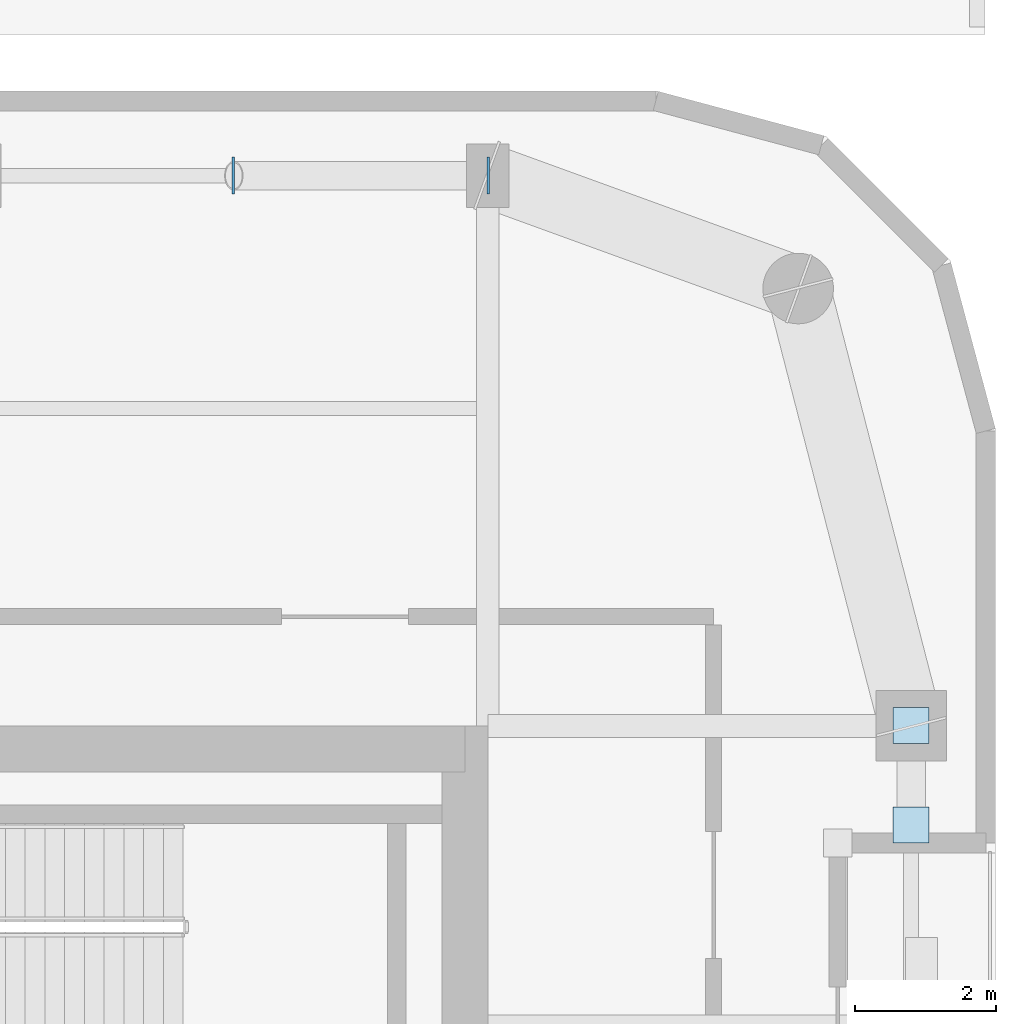
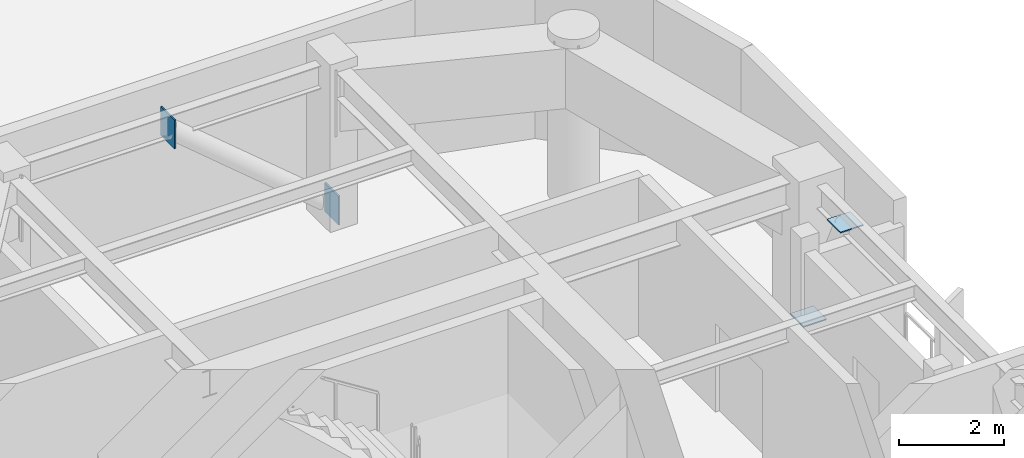
# One storey, part 9 of 16: 4 plates.
"""IFC4 building model written with IfcOpenShell, lengths in metres."""

from ifc_helpers import new_model, si_unit, direction, frame, origin, origin_2d, place, context, subcontext, project, spatial, rectangle, extrude, material, layer, layer_set, type_object, element, save


model = new_model("IFC4")

# Units and contexts
model_context = context("Model", 3, precision=1e-05, world=origin(), true_north=direction((0.0, 1.0)))
body_context = subcontext(model_context, "Body", "Model", "MODEL_VIEW")
ifc_project = project(units=[si_unit("LENGTHUNIT", "METRE"), si_unit("AREAUNIT", "SQUARE_METRE"), si_unit("VOLUMEUNIT", "CUBIC_METRE"), si_unit("PLANEANGLEUNIT", "RADIAN"), si_unit("MASSUNIT", "GRAM", prefix="KILO")], contexts=[model_context])

# Site, building, storey
site_placement = place(None, origin())
site = spatial("IfcSite", under=ifc_project, at=site_placement, CompositionType="ELEMENT")
building_placement = place(site_placement, origin())
building = spatial("IfcBuilding", under=site, at=building_placement, Name="Kiyonajd Concourse Tower", CompositionType="ELEMENT")
storey_placement = place(building_placement, frame((0.0, 0.0, 255.0)))
storey = spatial("IfcBuildingStorey", under=building, at=storey_placement, Name="L64", CompositionType="ELEMENT", Elevation=255.0)

# Plates
ifc_material = material(Name="Steel ASTM A572 Grade 50", Category="steel")
ifc_layer = layer(ifc_material, 0.028076171875)
ifc_layer_set = layer_set([ifc_layer], Name="Steel ASTM A572 Grade 50")
plate_type = type_object("IfcPlateType", Name="PL-CAP-450", PredefinedType="USERDEFINED", material=ifc_layer_set)
for number, where, z_axis, x_axis, name in (
    (1, (63.6083984375, 52.199951171875, -0.04248046875), (0.0, 0.0, 1.0), (1.0, 0.0, 0.0), "L64 Hollow Brace End Cap Plate PBN"),
    (2, (59.99169921875, 52.199951171875, 3.001708984375), (0.0, 0.0, 1.0), (-1.0, 0.0, 0.0), "L64 Hollow Brace Top Cap Plate PBN"),
):
    element("IfcPlate", number, at=place(storey_placement, frame(where, z_axis=z_axis, x_axis=x_axis)), inside=storey, type_object=plate_type, Name=name, ObjectType="CAP PLATE", PredefinedType="USERDEFINED", context=body_context, shape_type="SweptSolid", body=[
        extrude(rectangle(XDim=0.035888671875, YDim=0.52587890625, at=origin_2d()), origin(), (0.0, 0.0, 1.0), 0.6708984375),
    ])
for number, where, z_axis, x_axis, name in (
    (3, (69.60009765625, 44.404541015625, 0.27587890625), (0.0, 0.0, 1.0), (1.0, 0.0, 0.0), "L64 Hollow Brace End Cap Plate PBE"),
    (4, (69.60009765625, 42.995361328125, 3.326171875), (0.0, 0.0, 1.0), (1.0, 0.0, 0.0), "L64 Hollow Brace Top Cap Plate PBE"),
):
    element("IfcPlate", number, at=place(storey_placement, frame(where, z_axis=z_axis, x_axis=x_axis)), inside=storey, type_object=plate_type, Name=name, ObjectType="CAP PLATE", PredefinedType="USERDEFINED", context=body_context, shape_type="SweptSolid", body=[
        extrude(rectangle(XDim=0.506103515625, YDim=0.506103515625, at=origin_2d()), origin(), (0.0, 0.0, 1.0), 0.028076171875),
    ])

save(model, "model.ifc")
